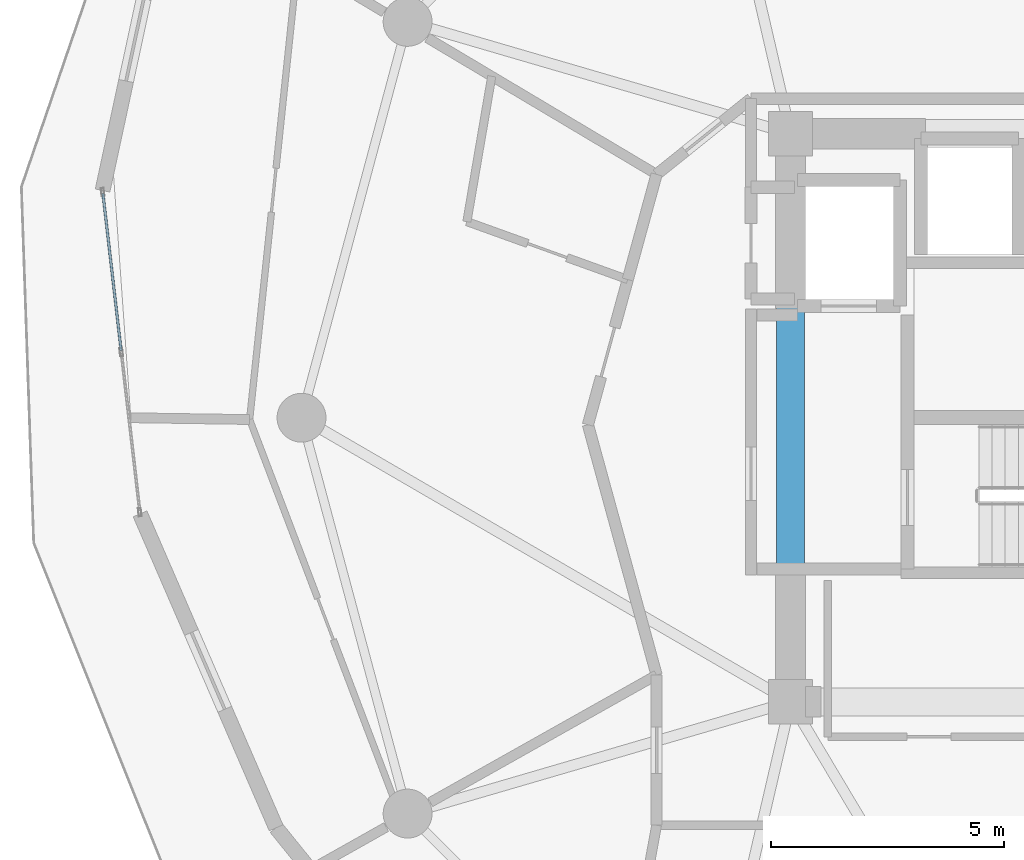
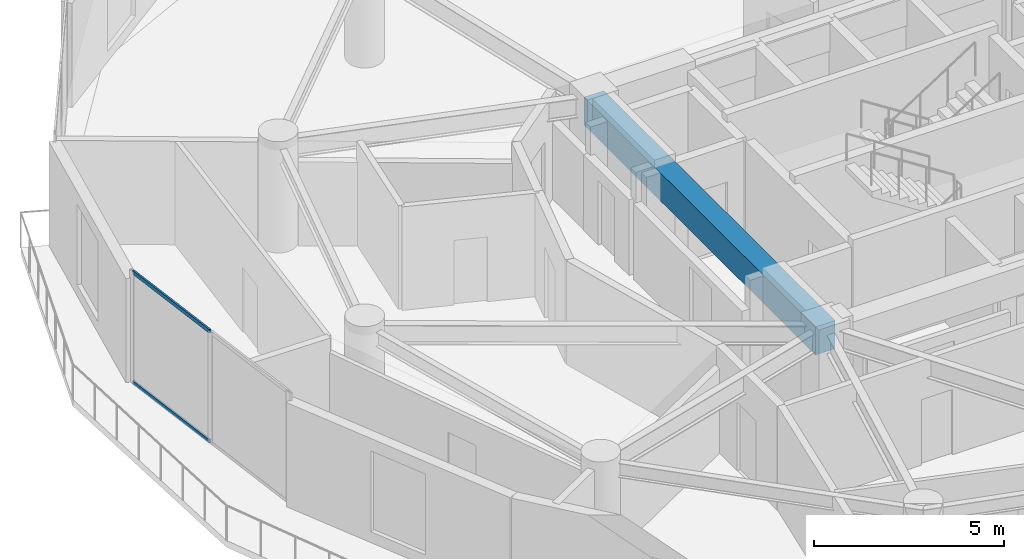
# One storey, part 6 of 21: 2 members, 1 beam, 1 element without a shape of its own.
"""IFC4 building model written with IfcOpenShell, lengths in metres."""

from ifc_helpers import new_model, si_unit, direction, frame, origin, origin_2d, place, context, subcontext, project, spatial, rectangle, hollow_rectangle, extrude, source, transform, mapped, material, layer, layer_set, material_profile, profile_set, type_object, element, aggregate, save


model = new_model("IFC4")

# Units and contexts
model_context = context("Model", 3, precision=1e-05, world=origin(), true_north=direction((0.0, 1.0)))
body_context = subcontext(model_context, "Body", "Model", "MODEL_VIEW")
ifc_project = project(units=[si_unit("LENGTHUNIT", "METRE"), si_unit("AREAUNIT", "SQUARE_METRE"), si_unit("VOLUMEUNIT", "CUBIC_METRE"), si_unit("PLANEANGLEUNIT", "RADIAN"), si_unit("MASSUNIT", "GRAM", prefix="KILO")], contexts=[model_context])

# Site, building, storey
site_placement = place(None, origin())
site = spatial("IfcSite", under=ifc_project, at=site_placement, CompositionType="ELEMENT")
building_placement = place(site_placement, origin())
building = spatial("IfcBuilding", under=site, at=building_placement, Name="Solvirekh Grand Hotel", CompositionType="ELEMENT")
storey_placement = place(building_placement, frame((0.0, 0.0, 142.199951171875)))
storey = spatial("IfcBuildingStorey", under=building, at=storey_placement, Name="L36", CompositionType="ELEMENT", Elevation=142.199951171875)

# Beam
ifc_material_1 = material(Name="Concrete C50/60", Category="concrete")
ifc_material_profile_1 = material_profile(ifc_material_1, rectangle(XDim=0.60009765625, YDim=0.89990234375, at=origin_2d()), Name="RC BEAM 600X900")
ifc_profile_set_1 = profile_set([ifc_material_profile_1], Name="Concrete C50/60")
beam_type = type_object("IfcBeamType", Name="Beam_Core_RC900", PredefinedType="BEAM", material=ifc_profile_set_1)
beam_placement = place(storey_placement, frame((-6.5, 6.10009765625, 2.900146484375), z_axis=(0.0, -1.0, 0.0), x_axis=(1.0, 0.0, 0.0)))
element("IfcBeam", 1, at=beam_placement, inside=storey, type_object=beam_type, Name="L36 core coupling ring beam 4", PredefinedType="BEAM", context=body_context, shape_type="SweptSolid", body=[
    extrude(rectangle(XDim=0.60009765625, YDim=0.89990234375, at=origin_2d()), origin(), (0.0, 0.0, 1.0), 12.2001953125),
])

# Curtain wall, members
ifc_material_2 = material(Name="Anodized Bronze Aluminium 6063-T6", Category="aluminium")
ifc_layer = layer(ifc_material_2, 0.175048828125)
ifc_layer_set = layer_set([ifc_layer], Name="Anodized Bronze Aluminium 6063-T6")
curtain_wall_type = type_object("IfcCurtainWallType", Name="CW_Sys3_MidZoneFlushBronzeCW", PredefinedType="NOTDEFINED", material=ifc_layer_set)
curtain_wall_placement = place(storey_placement, origin())
curtain_wall = element("IfcCurtainWall", 2, at=curtain_wall_placement, inside=storey, type_object=curtain_wall_type, Name="L36 unitised bronze-glass curtain wall CW-L36-C13", PredefinedType="NOTDEFINED")
ifc_material_profile_2 = material_profile(ifc_material_2, hollow_rectangle(XDim=0.054931640625, YDim=0.1201171875, WallThickness=0.00390625, at=origin_2d()), Name="ALU RHS 120X55X4")
ifc_profile_set_2 = profile_set([ifc_material_profile_2], Name="Anodized Bronze Aluminium 6063-T6")
member_type = type_object("IfcMemberType", Name="CWTransom_Sys3", PredefinedType="USERDEFINED", material=ifc_profile_set_2)
shared_shape = source(origin(), body_context, "Body", "SweptSolid", [
    extrude(hollow_rectangle(XDim=0.054931640625, YDim=0.1201171875, WallThickness=0.00390625, at=origin_2d()), origin(), (0.0, 0.0, 1.0), 3.3974609375),
])
member_1_placement = place(storey_placement, frame((-21.264404296875, 4.814453125, 0.027587890625), z_axis=(0.11512324732, -0.993351215798, 0.0), x_axis=(0.993351215798, 0.11512324732, 0.0)))
member_1 = element("IfcMember", 3, at=member_1_placement, type_object=member_type, Name="U03 transom 1.1", ObjectType="TRANSOM", PredefinedType="USERDEFINED", context=body_context, shape_type="MappedRepresentation", body=[
    mapped(shared_shape, transform((0.0, 0.0, 0.0), x_axis=(1.0, 0.0, 0.0), y_axis=(0.0, 1.0, 0.0), z_axis=(0.0, 0.0, 1.0), scale=1.0)),
])
member_2_placement = place(storey_placement, frame((-21.264404296875, 4.814453125, 3.572509765625), z_axis=(0.11512324732, -0.993351215798, 0.0), x_axis=(0.993351215798, 0.11512324732, 0.0)))
member_2 = element("IfcMember", 4, at=member_2_placement, type_object=member_type, Name="U03 transom 1.2", ObjectType="TRANSOM", PredefinedType="USERDEFINED", context=body_context, shape_type="MappedRepresentation", body=[
    mapped(shared_shape, transform((0.0, 0.0, 0.0), x_axis=(1.0, 0.0, 0.0), y_axis=(0.0, 1.0, 0.0), z_axis=(0.0, 0.0, 1.0), scale=1.0)),
])
aggregate(curtain_wall, [member_1, member_2])

save(model, "model.ifc")
